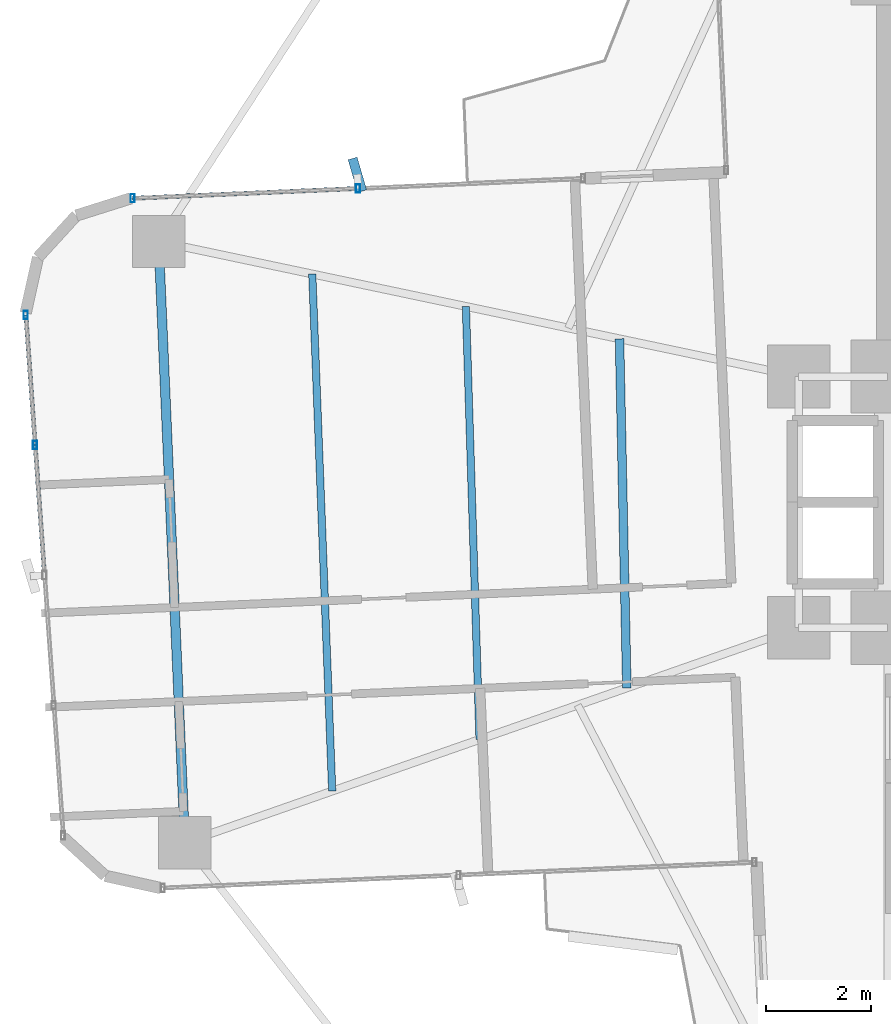
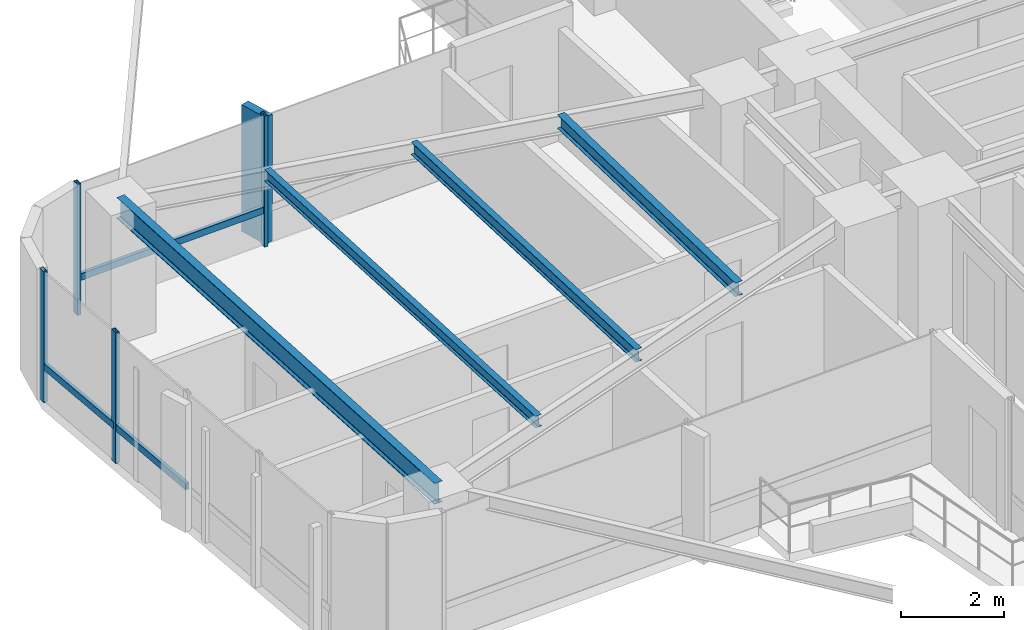
# One storey, part 9 of 26: 8 members, 4 beams, 2 elements without a shape of their own.
"""IFC4 building model written with IfcOpenShell, lengths in metres."""

from ifc_helpers import new_model, si_unit, direction, frame, origin, origin_2d, place, context, subcontext, project, spatial, rectangle, hollow_rectangle, i_section, extrude, source, transform, mapped, material, material_profile, profile_set, type_object, element, aggregate, save


model = new_model("IFC4")

# Units and contexts
model_context = context("Model", 3, precision=1e-05, world=origin(), true_north=direction((0.0, 1.0)))
body_context = subcontext(model_context, "Body", "Model", "MODEL_VIEW")
ifc_project = project(units=[si_unit("LENGTHUNIT", "METRE"), si_unit("AREAUNIT", "SQUARE_METRE"), si_unit("VOLUMEUNIT", "CUBIC_METRE"), si_unit("PLANEANGLEUNIT", "RADIAN"), si_unit("MASSUNIT", "GRAM", prefix="KILO")], contexts=[model_context])

# Site, building, storey
site_placement = place(None, origin())
site = spatial("IfcSite", under=ifc_project, at=site_placement, CompositionType="ELEMENT")
building_placement = place(site_placement, origin())
building = spatial("IfcBuilding", under=site, at=building_placement, Name="Sahyath Konkavel Grand Hotel", CompositionType="ELEMENT")
storey_placement = place(building_placement, frame((0.0, 0.0, 100.25)))
storey = spatial("IfcBuildingStorey", under=building, at=storey_placement, Name="L27", CompositionType="ELEMENT", Elevation=100.25)

# Beams
ifc_material_1 = material(Name="Steel E350", Category="steel")
ifc_material_profile_1 = material_profile(ifc_material_1, i_section(OverallWidth=0.179931640625, OverallDepth=0.5, WebThickness=0.01025390625, FlangeThickness=0.01708984375, FilletRadius=0.01708984375, at=origin_2d()), Name="ISMB 500")
ifc_profile_set_1 = profile_set([ifc_material_profile_1], Name="Steel E350")
beam_type_1 = type_object("IfcBeamType", Name="BM-ISMB500", PredefinedType="BEAM", material=ifc_profile_set_1)
shared_shape_1 = source(origin(), body_context, "Body", "SweptSolid", [
    extrude(i_section(OverallWidth=0.179931640625, OverallDepth=0.5, WebThickness=0.01025390625, FlangeThickness=0.01708984375, FilletRadius=0.01708984375, at=origin_2d()), origin(), (0.0, 0.0, 1.0), 11.5),
])
beam_1_placement = place(storey_placement, frame((-17.734130859375, 4.981201171875, 2.860107421875), z_axis=(0.043627008892, -0.99904788879, 0.0), x_axis=(0.99904788879, 0.043627008892, 0.0)))
element("IfcBeam", 1, at=beam_1_placement, inside=storey, type_object=beam_type_1, Name="L27 Wing Tip Edge Beam W", PredefinedType="BEAM", context=body_context, shape_type="MappedRepresentation", body=[
    mapped(shared_shape_1, transform((0.0, 0.0, 0.0), scale=1.0)),
])
ifc_material_profile_2 = material_profile(ifc_material_1, i_section(OverallWidth=0.1650390625, OverallDepth=0.324951171875, WebThickness=0.007080078125, FlangeThickness=0.009765625, FilletRadius=0.014892578125, at=origin_2d()), Name="ISLB 325")
ifc_profile_set_2 = profile_set([ifc_material_profile_2], Name="Steel E350")
beam_type_2 = type_object("IfcBeamType", Name="BM-ISLB325", PredefinedType="BEAM", material=ifc_profile_set_2)
shared_shape_2 = source(origin(), body_context, "Body", "SweptSolid", [
    extrude(i_section(OverallWidth=0.1650390625, OverallDepth=0.324951171875, WebThickness=0.007080078125, FlangeThickness=0.009765625, FilletRadius=0.014892578125, at=origin_2d()), origin(), (0.0, 0.0, 1.0), 6.674560546875),
])
beam_2_placement = place(storey_placement, frame((-8.925537109375, 3.122802734375, 2.947509765625), z_axis=(0.021032188543, -0.999778799058, 0.0), x_axis=(0.999778799058, 0.021032188543, 0.0)))
element("IfcBeam", 2, at=beam_2_placement, inside=storey, type_object=beam_type_2, Name="L27 Secondary Floor Beam W-1", PredefinedType="BEAM", context=body_context, shape_type="MappedRepresentation", body=[
    mapped(shared_shape_2, transform((0.0, 0.0, 0.0), scale=1.0)),
])
ifc_material_profile_3 = material_profile(ifc_material_1, i_section(OverallWidth=0.139892578125, OverallDepth=0.300048828125, WebThickness=0.0078125, FlangeThickness=0.01318359375, FilletRadius=0.013916015625, at=origin_2d()), Name="ISMB 300")
ifc_profile_set_3 = profile_set([ifc_material_profile_3], Name="Steel E350")
beam_type_3 = type_object("IfcBeamType", Name="BM-ISMB300", PredefinedType="BEAM", material=ifc_profile_set_3)
shared_shape_3 = source(origin(), body_context, "Body", "SweptSolid", [
    extrude(i_section(OverallWidth=0.139892578125, OverallDepth=0.300048828125, WebThickness=0.0078125, FlangeThickness=0.01318359375, FilletRadius=0.013916015625, at=origin_2d()), origin(), (0.0, 0.0, 1.0), 8.282470703125),
])
beam_3_placement = place(storey_placement, frame((-11.86181640625, 3.7421875, 2.9599609375), z_axis=(0.031510827707, -0.999503410568, 0.0), x_axis=(0.999503410568, 0.031510827707, 0.0)))
element("IfcBeam", 3, at=beam_3_placement, inside=storey, type_object=beam_type_3, Name="L27 Secondary Floor Beam W-2", PredefinedType="BEAM", context=body_context, shape_type="MappedRepresentation", body=[
    mapped(shared_shape_3, transform((0.0, 0.0, 0.0), scale=1.0)),
])
ifc_material_profile_4 = material_profile(ifc_material_1, i_section(OverallWidth=0.139892578125, OverallDepth=0.27490234375, WebThickness=0.00634765625, FlangeThickness=0.0087890625, FilletRadius=0.012939453125, at=origin_2d()), Name="ISLB 275")
ifc_profile_set_4 = profile_set([ifc_material_profile_4], Name="Steel E350")
beam_type_4 = type_object("IfcBeamType", Name="BM-ISLB275", PredefinedType="BEAM", material=ifc_profile_set_4)
shared_shape_4 = source(origin(), body_context, "Body", "SweptSolid", [
    extrude(i_section(OverallWidth=0.139892578125, OverallDepth=0.27490234375, WebThickness=0.00634765625, FlangeThickness=0.0087890625, FilletRadius=0.012939453125, at=origin_2d()), origin(), (0.0, 0.0, 1.0), 9.89111328125),
])
beam_4_placement = place(storey_placement, frame((-14.798095703125, 4.36181640625, 2.972412109375), z_axis=(0.03855445741, -0.999256500511, 0.0), x_axis=(0.999256500511, 0.03855445741, 0.0)))
element("IfcBeam", 4, at=beam_4_placement, inside=storey, type_object=beam_type_4, Name="L27 Secondary Floor Beam W-3", PredefinedType="BEAM", context=body_context, shape_type="MappedRepresentation", body=[
    mapped(shared_shape_4, transform((0.0, 0.0, 0.0), scale=1.0)),
])

# Curtain wall, members
ifc_material_2 = material(Name="Anodised Bronze Aluminium & Low-E Glazing", Category="aluminium")
curtain_wall_type = type_object("IfcCurtainWallType", Name="CW-ZONE2", PredefinedType="NOTDEFINED", material=ifc_material_2)
curtain_wall_1_placement = place(storey_placement, origin())
curtain_wall_1 = element("IfcCurtainWall", 5, at=curtain_wall_1_placement, inside=storey, type_object=curtain_wall_type, Name="L27 Unitised Curtain Wall F16", PredefinedType="NOTDEFINED")
ifc_material_3 = material(Name="Warm Buff Sandstone Cladding on Concrete C50/60", Category="masonry")
ifc_material_profile_5 = material_profile(ifc_material_3, rectangle(XDim=0.179931640625, YDim=0.64990234375, at=origin_2d()), Name="FIN 180x650")
ifc_profile_set_5 = profile_set([ifc_material_profile_5], Name="Warm Buff Sandstone Cladding on Concrete C50/60")
member_type_1 = type_object("IfcMemberType", Name="FIN-SANDSTONE-650", PredefinedType="MULLION", material=ifc_profile_set_5)
shared_shape_5 = source(origin(), body_context, "Body", "SweptSolid", [
    extrude(rectangle(XDim=0.179931640625, YDim=0.64990234375, at=origin_2d()), origin(), (0.0, 0.0, 1.0), 3.010009765625),
])
member_1_placement = place(storey_placement, frame((-13.936279296875, 6.258056640625, 0.050048828125), z_axis=(0.0, 0.0, 1.0), x_axis=(0.959854262938, 0.280499187022, 0.0)))
member_1 = element("IfcMember", 6, at=member_1_placement, type_object=member_type_1, Name="L27 Sandstone Vertical Solar Fin FIN F16-1", PredefinedType="MULLION", context=body_context, shape_type="MappedRepresentation", body=[
    mapped(shared_shape_5, transform((0.0, 0.0, 0.0), scale=1.0)),
])
ifc_material_4 = material(Name="Anodised Bronze Aluminium", Category="aluminium")
ifc_material_profile_6 = material_profile(ifc_material_4, hollow_rectangle(XDim=0.080078125, YDim=0.159912109375, WallThickness=0.006103515625, at=origin_2d()), Name="RHS 160x80x6")
ifc_profile_set_6 = profile_set([ifc_material_profile_6], Name="Anodised Bronze Aluminium")
member_type_2 = type_object("IfcMemberType", Name="CW-MUL-160", PredefinedType="MULLION", material=ifc_profile_set_6)
shared_shape_6 = source(origin(), body_context, "Body", "SweptSolid", [
    extrude(hollow_rectangle(XDim=0.080078125, YDim=0.159912109375, WallThickness=0.006103515625, at=origin_2d()), origin(), (0.0, 0.0, 1.0), 3.110107421875),
])
member_2_placement = place(storey_placement, frame((-13.9248046875, 5.998291015625, 0.0), z_axis=(0.0, 0.0, 1.0), x_axis=(1.0, 0.0, 0.0)))
member_2 = element("IfcMember", 7, at=member_2_placement, type_object=member_type_2, Name="L27 Curtain Wall Mullion F16-1", PredefinedType="MULLION", context=body_context, shape_type="MappedRepresentation", body=[
    mapped(shared_shape_6, transform((0.0, 0.0, 0.0), scale=1.0)),
])
member_3_placement = place(storey_placement, frame((-18.230712890625, 5.810302734375, 0.0), z_axis=(0.0, 0.0, 1.0), x_axis=(1.0, 0.0, 0.0)))
member_3 = element("IfcMember", 8, at=member_3_placement, type_object=member_type_2, Name="L27 Curtain Wall Mullion F16-2", PredefinedType="MULLION", context=body_context, shape_type="MappedRepresentation", body=[
    mapped(shared_shape_6, transform((0.0, 0.0, 0.0), scale=1.0)),
])

curtain_wall_2_placement = place(storey_placement, origin())
curtain_wall_2 = element("IfcCurtainWall", 9, at=curtain_wall_2_placement, inside=storey, type_object=curtain_wall_type, Name="L27 Unitised Curtain Wall F20", PredefinedType="NOTDEFINED")
member_4_placement = place(storey_placement, frame((-20.2744140625, 3.5791015625, 0.0), z_axis=(0.0, 0.0, 1.0), x_axis=(1.0, 0.0, 0.0)))
member_4 = element("IfcMember", 10, at=member_4_placement, type_object=member_type_2, Name="L27 Curtain Wall Mullion F20-0", PredefinedType="MULLION", context=body_context, shape_type="MappedRepresentation", body=[
    mapped(shared_shape_6, transform((0.0, 0.0, 0.0), scale=1.0)),
])
member_5_placement = place(storey_placement, frame((-20.095947265625, 1.092041015625, 0.0), z_axis=(0.0, 0.0, 1.0), x_axis=(1.0, 0.0, 0.0)))
member_5 = element("IfcMember", 11, at=member_5_placement, type_object=member_type_2, Name="L27 Curtain Wall Mullion F20-1", PredefinedType="MULLION", context=body_context, shape_type="MappedRepresentation", body=[
    mapped(shared_shape_6, transform((0.0, 0.0, 0.0), scale=1.0)),
])

# Member
ifc_material_profile_7 = material_profile(ifc_material_4, hollow_rectangle(XDim=0.080078125, YDim=0.159912109375, WallThickness=0.006103515625, at=origin_2d()), Name="RHS 160x80x6")
ifc_profile_set_7 = profile_set([ifc_material_profile_7], Name="Anodised Bronze Aluminium")
member_type_3 = type_object("IfcMemberType", Name="CW-TRN-160", PredefinedType="USERDEFINED", material=ifc_profile_set_7)
shared_shape_7 = source(origin(), body_context, "Body", "SweptSolid", [
    extrude(hollow_rectangle(XDim=0.080078125, YDim=0.159912109375, WallThickness=0.006103515625, at=origin_2d()), origin(), (0.0, 0.0, 1.0), 4.31005859375),
])
member_6_placement = place(storey_placement, frame((-13.9248046875, 5.998291015625, 0.85009765625), z_axis=(-0.999048340188, -0.043616670746, 0.0), x_axis=(0.043616670746, -0.999048340188, 0.0)))
member_6 = element("IfcMember", 12, at=member_6_placement, type_object=member_type_3, Name="L27 Curtain Wall Transom F16-1-spandrel", ObjectType="TRANSOM", PredefinedType="USERDEFINED", context=body_context, shape_type="MappedRepresentation", body=[
    mapped(shared_shape_7, transform((0.0, 0.0, 0.0), scale=1.0)),
])

aggregate(curtain_wall_1, [member_2, member_1, member_3, member_6])

shared_shape_8 = source(origin(), body_context, "Body", "SweptSolid", [
    extrude(hollow_rectangle(XDim=0.080078125, YDim=0.159912109375, WallThickness=0.006103515625, at=origin_2d()), origin(), (0.0, 0.0, 1.0), 2.493408203125),
])
member_7_placement = place(storey_placement, frame((-20.2744140625, 3.5791015625, 0.85009765625), z_axis=(0.071574084062, -0.997435286367, 0.0), x_axis=(0.997435286367, 0.071574084062, 0.0)))
member_7 = element("IfcMember", 13, at=member_7_placement, type_object=member_type_3, Name="L27 Curtain Wall Transom F20-0-spandrel", ObjectType="TRANSOM", PredefinedType="USERDEFINED", context=body_context, shape_type="MappedRepresentation", body=[
    mapped(shared_shape_8, transform((0.0, 0.0, 0.0), scale=1.0)),
])

member_8_placement = place(storey_placement, frame((-20.095947265625, 1.092041015625, 0.85009765625), z_axis=(0.071574084062, -0.997435286367, 0.0), x_axis=(0.997435286367, 0.071574084062, 0.0)))
member_8 = element("IfcMember", 14, at=member_8_placement, type_object=member_type_3, Name="L27 Curtain Wall Transom F20-1-spandrel", ObjectType="TRANSOM", PredefinedType="USERDEFINED", context=body_context, shape_type="MappedRepresentation", body=[
    mapped(shared_shape_8, transform((0.0, 0.0, 0.0), scale=1.0)),
])

aggregate(curtain_wall_2, [member_4, member_5, member_7, member_8])

save(model, "model.ifc")
